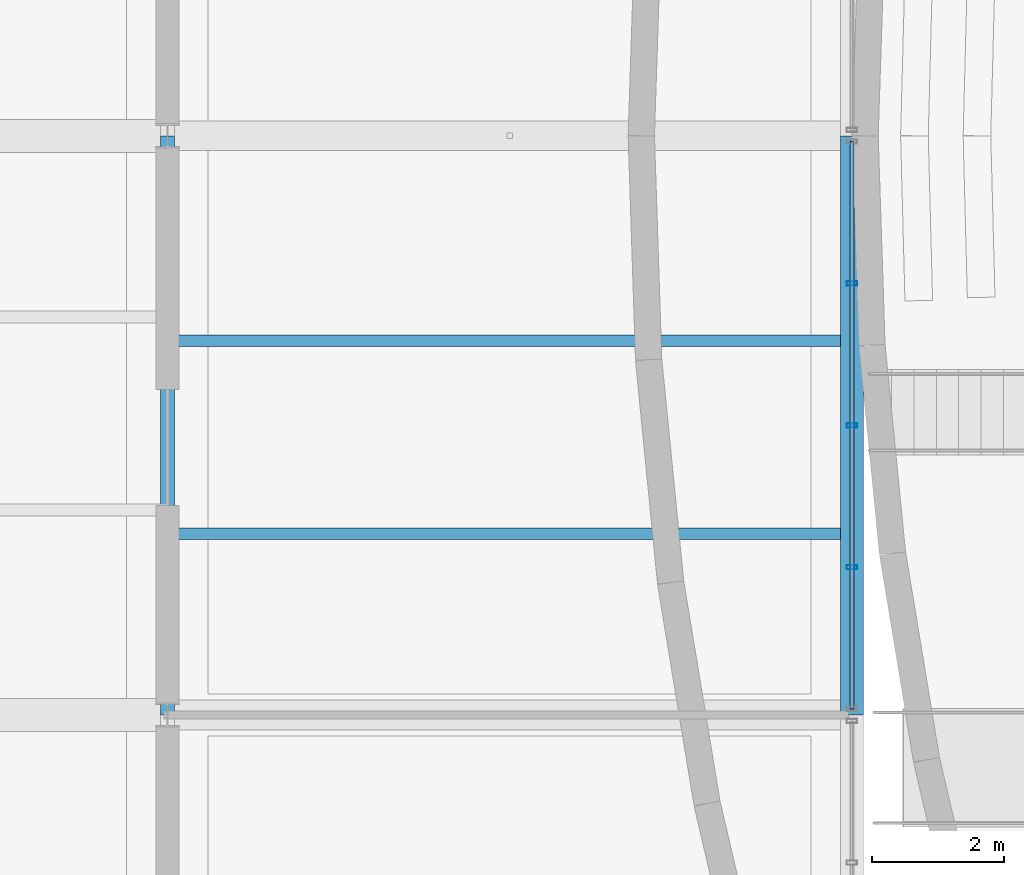
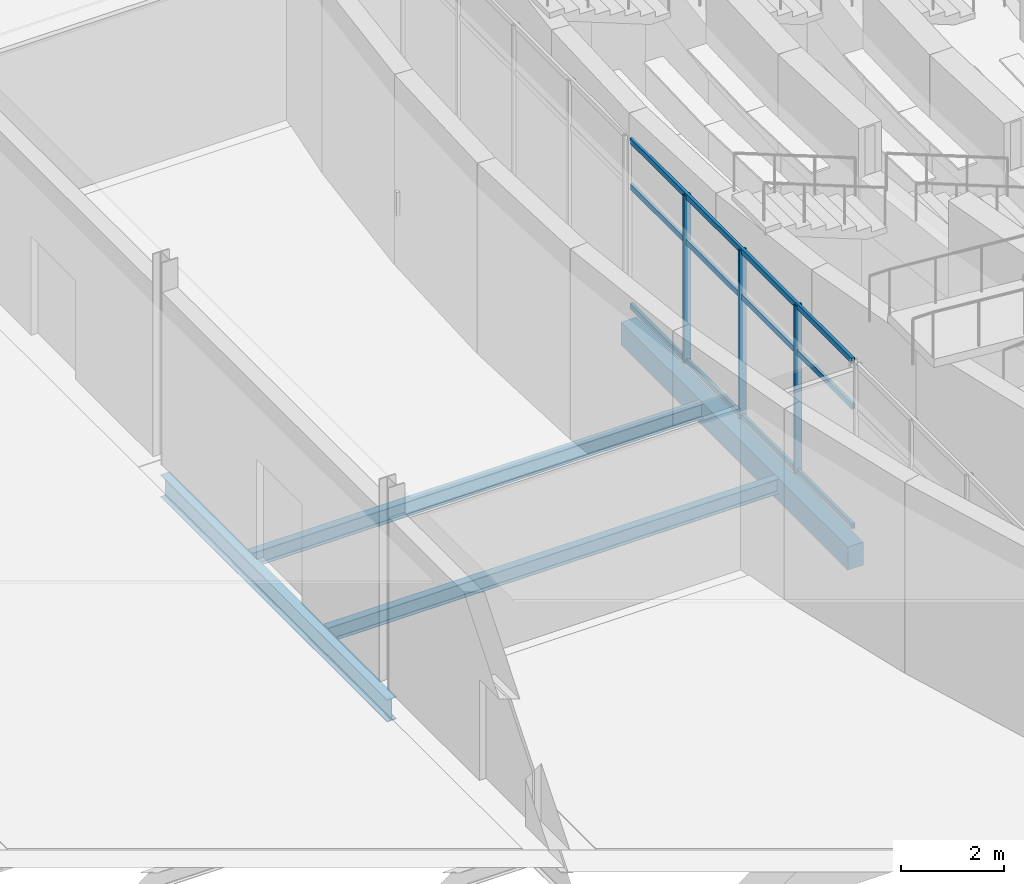
# One storey, part 59 of 116: 6 members, 4 beams, 1 element without a shape of its own.
"""IFC4 building model written with IfcOpenShell, lengths in metres."""

from ifc_helpers import new_model, si_unit, direction, frame, origin, origin_2d, place, context, subcontext, project, spatial, rectangle, hollow_rectangle, i_section, extrude, material, layer, layer_set, material_profile, profile_set, type_object, element, aggregate, save


model = new_model("IFC4")

# Units and contexts
model_context = context("Model", 3, precision=1e-05, world=origin(), true_north=direction((0.0, 1.0)))
body_context = subcontext(model_context, "Body", "Model", "MODEL_VIEW")
ifc_project = project(units=[si_unit("LENGTHUNIT", "METRE"), si_unit("AREAUNIT", "SQUARE_METRE"), si_unit("VOLUMEUNIT", "CUBIC_METRE"), si_unit("PLANEANGLEUNIT", "RADIAN"), si_unit("MASSUNIT", "GRAM", prefix="KILO")], contexts=[model_context])

# Site, building, storey
site_placement = place(None, origin())
site = spatial("IfcSite", under=ifc_project, at=site_placement, CompositionType="ELEMENT")
building_placement = place(site_placement, origin())
building = spatial("IfcBuilding", under=site, at=building_placement, Name="Chalmorin Arch Market", CompositionType="ELEMENT")
storey_placement = place(building_placement, origin())
storey = spatial("IfcBuildingStorey", under=building, at=storey_placement, Name="L00", CompositionType="ELEMENT", Elevation=0.0)

# Curtain wall, members
ifc_material_1 = material(Name="Aluminium 6063-T6", Category="aluminium")
ifc_layer = layer(ifc_material_1, 0.159912109375)
ifc_layer_set = layer_set([ifc_layer], Name="Aluminium 6063-T6")
curtain_wall_type = type_object("IfcCurtainWallType", Name="RiverfrontStorefrontCurtainWall-CW2-8620x3990", PredefinedType="NOTDEFINED", material=ifc_layer_set)
curtain_wall_placement = place(storey_placement, origin())
curtain_wall = element("IfcCurtainWall", 1, at=curtain_wall_placement, inside=storey, type_object=curtain_wall_type, Name="CW-02-192", PredefinedType="NOTDEFINED")
ifc_material_profile_1 = material_profile(ifc_material_1, hollow_rectangle(XDim=0.06494140625, YDim=0.159912109375, WallThickness=0.00390625, at=origin_2d()), Name="ALU65X160X4")
ifc_profile_set_1 = profile_set([ifc_material_profile_1], Name="Aluminium 6063-T6")
member_type_1 = type_object("IfcMemberType", Name="CurtainWallMullion-65x160", PredefinedType="MULLION", material=ifc_profile_set_1)
member_1_placement = place(storey_placement, frame((135.199951171875, 25.844970703125, 0.0), z_axis=(0.0, 0.0, 1.0), x_axis=(0.0, 1.0, 0.0)))
member_1 = element("IfcMember", 2, at=member_1_placement, type_object=member_type_1, Name="ML-192-02", PredefinedType="MULLION", context=body_context, shape_type="SweptSolid", body=[
    extrude(hollow_rectangle(XDim=0.06494140625, YDim=0.159912109375, WallThickness=0.00390625, at=origin_2d()), origin(), (0.0, 0.0, 1.0), 3.986083984375),
])
member_2_placement = place(storey_placement, frame((135.199951171875, 28.0, 0.0), z_axis=(0.0, 0.0, 1.0), x_axis=(0.0, 1.0, 0.0)))
member_2 = element("IfcMember", 3, at=member_2_placement, type_object=member_type_1, Name="ML-192-03", PredefinedType="MULLION", context=body_context, shape_type="SweptSolid", body=[
    extrude(hollow_rectangle(XDim=0.06494140625, YDim=0.159912109375, WallThickness=0.00390625, at=origin_2d()), origin(), (0.0, 0.0, 1.0), 3.986083984375),
])
member_3_placement = place(storey_placement, frame((135.199951171875, 30.155029296875, 0.0), z_axis=(0.0, 0.0, 1.0), x_axis=(0.0, 1.0, 0.0)))
member_3 = element("IfcMember", 4, at=member_3_placement, type_object=member_type_1, Name="ML-192-04", PredefinedType="MULLION", context=body_context, shape_type="SweptSolid", body=[
    extrude(hollow_rectangle(XDim=0.06494140625, YDim=0.159912109375, WallThickness=0.00390625, at=origin_2d()), origin(), (0.0, 0.0, 1.0), 3.986083984375),
])
ifc_material_profile_2 = material_profile(ifc_material_1, hollow_rectangle(XDim=0.06494140625, YDim=0.1298828125, WallThickness=0.00390625, at=origin_2d()), Name="ALU65X130X4")
ifc_profile_set_2 = profile_set([ifc_material_profile_2], Name="Aluminium 6063-T6")
member_type_2 = type_object("IfcMemberType", Name="CurtainWallTransom-65x130", PredefinedType="USERDEFINED", material=ifc_profile_set_2)
member_4_placement = place(storey_placement, frame((135.199951171875, 23.68994140625, 0.034912109375), z_axis=(0.0, 1.0, 0.0), x_axis=(-1.0, 0.0, 0.0)))
member_4 = element("IfcMember", 5, at=member_4_placement, type_object=member_type_2, Name="TR-192-01", ObjectType="TRANSOM", PredefinedType="USERDEFINED", context=body_context, shape_type="SweptSolid", body=[
    extrude(hollow_rectangle(XDim=0.06494140625, YDim=0.1298828125, WallThickness=0.00390625, at=origin_2d()), origin(), (0.0, 0.0, 1.0), 8.6201171875),
])
member_5_placement = place(storey_placement, frame((135.199951171875, 23.68994140625, 2.869873046875), z_axis=(0.0, 1.0, 0.0), x_axis=(-1.0, 0.0, 0.0)))
member_5 = element("IfcMember", 6, at=member_5_placement, type_object=member_type_2, Name="TR-192-02", ObjectType="TRANSOM", PredefinedType="USERDEFINED", context=body_context, shape_type="SweptSolid", body=[
    extrude(hollow_rectangle(XDim=0.06494140625, YDim=0.1298828125, WallThickness=0.00390625, at=origin_2d()), origin(), (0.0, 0.0, 1.0), 8.6201171875),
])
member_6_placement = place(storey_placement, frame((135.199951171875, 23.68994140625, 3.950927734375), z_axis=(0.0, 1.0, 0.0), x_axis=(-1.0, 0.0, 0.0)))
member_6 = element("IfcMember", 7, at=member_6_placement, type_object=member_type_2, Name="TR-192-03", ObjectType="TRANSOM", PredefinedType="USERDEFINED", context=body_context, shape_type="SweptSolid", body=[
    extrude(hollow_rectangle(XDim=0.06494140625, YDim=0.1298828125, WallThickness=0.00390625, at=origin_2d()), origin(), (0.0, 0.0, 1.0), 8.6201171875),
])
aggregate(curtain_wall, [member_1, member_2, member_3, member_4, member_5, member_6])

# Beams
ifc_material_2 = material(Name="Steel A992 Grade 50", Category="steel")
ifc_material_profile_3 = material_profile(ifc_material_2, i_section(OverallWidth=0.208984375, OverallDepth=0.532958984375, WebThickness=0.01025390625, FlangeThickness=0.015625, FilletRadius=0.02197265625, at=origin_2d()), Name="W21X62")
ifc_profile_set_3 = profile_set([ifc_material_profile_3], Name="Steel A992 Grade 50")
beam_type_1 = type_object("IfcBeamType", Name="PerimeterSpandrelBeam-W21X62", PredefinedType="SPANDREL", material=ifc_profile_set_3)
beam_1_placement = place(storey_placement, frame((124.800048828125, 23.60009765625, -0.618408203125), z_axis=(0.0, 1.0, 0.0), x_axis=(-1.0, 0.0, 0.0)))
element("IfcBeam", 8, at=beam_1_placement, inside=storey, type_object=beam_type_1, Name="SP-W21-0104", PredefinedType="SPANDREL", context=body_context, shape_type="SweptSolid", body=[
    extrude(i_section(OverallWidth=0.208984375, OverallDepth=0.532958984375, WebThickness=0.01025390625, FlangeThickness=0.015625, FilletRadius=0.02197265625, at=origin_2d()), origin(), (0.0, 0.0, 1.0), 8.7998046875),
])
ifc_material_profile_4 = material_profile(ifc_material_2, i_section(OverallWidth=0.1708984375, OverallDepth=0.35107421875, WebThickness=0.0068359375, FlangeThickness=0.009765625, FilletRadius=0.014892578125, at=origin_2d()), Name="W14X30")
ifc_profile_set_4 = profile_set([ifc_material_profile_4], Name="Steel A992 Grade 50")
beam_type_2 = type_object("IfcBeamType", Name="SecondaryFloorJoist-W14X30", PredefinedType="JOIST", material=ifc_profile_set_4)
for number, where, z_axis, x_axis, name in (
    (9, (124.800048828125, 26.353271484375, -0.527587890625), (1.0, 0.0, 0.0), (0.0, 1.0, 0.0), "BJ-W14-0538"),
    (10, (124.800048828125, 29.28662109375, -0.527587890625), (1.0, 0.0, 0.0), (0.0, 1.0, 0.0), "BJ-W14-0539"),
):
    element("IfcBeam", number, at=place(storey_placement, frame(where, z_axis=z_axis, x_axis=x_axis)), inside=storey, type_object=beam_type_2, Name=name, PredefinedType="JOIST", context=body_context, shape_type="SweptSolid", body=[
        extrude(i_section(OverallWidth=0.1708984375, OverallDepth=0.35107421875, WebThickness=0.0068359375, FlangeThickness=0.009765625, FilletRadius=0.014892578125, at=origin_2d()), origin(), (0.0, 0.0, 1.0), 10.39990234375),
    ])
ifc_material_3 = material(Name="Concrete C40/50", Category="concrete")
ifc_material_profile_5 = material_profile(ifc_material_3, rectangle(XDim=0.35009765625, YDim=0.550048828125, at=origin_2d()), Name="RC350X550")
ifc_profile_set_5 = profile_set([ifc_material_profile_5], Name="Concrete C40/50")
beam_type_3 = type_object("IfcBeamType", Name="TerraceEdgeBeam-350x550", PredefinedType="SPANDREL", material=ifc_profile_set_5)
beam_2_placement = place(storey_placement, frame((135.199951171875, 23.60009765625, -0.626953125), z_axis=(0.0, 1.0, 0.0), x_axis=(-1.0, 0.0, 0.0)))
element("IfcBeam", 11, at=beam_2_placement, inside=storey, type_object=beam_type_3, Name="SP-RC1-0527", PredefinedType="SPANDREL", context=body_context, shape_type="SweptSolid", body=[
    extrude(rectangle(XDim=0.35009765625, YDim=0.550048828125, at=origin_2d()), origin(), (0.0, 0.0, 1.0), 8.7998046875),
])

save(model, "model.ifc")
